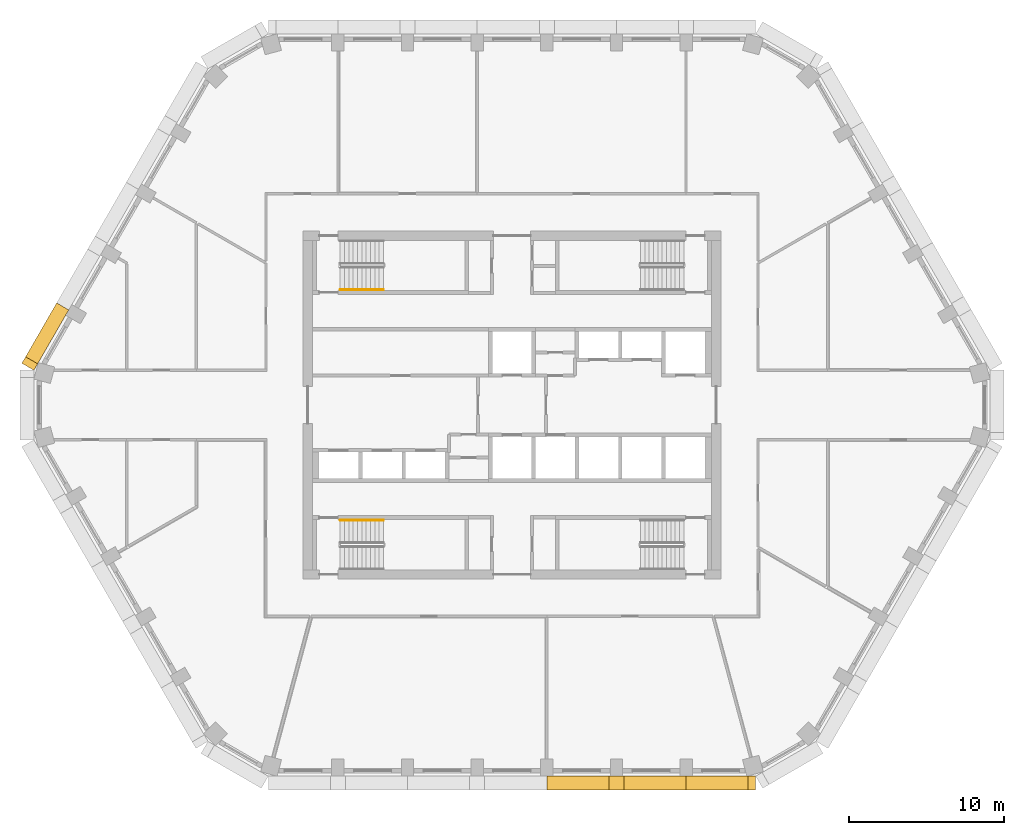
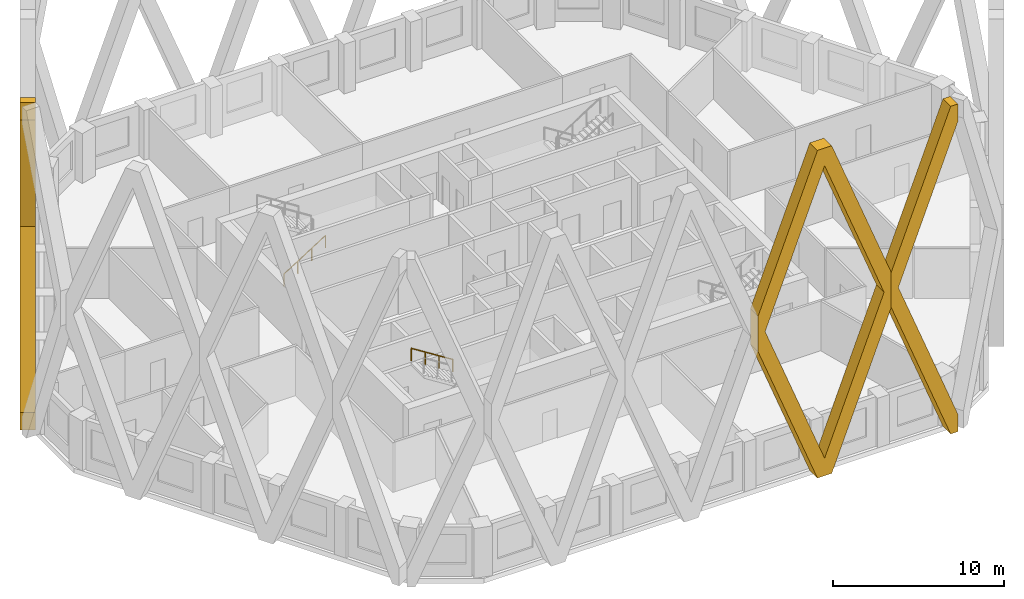
# One storey, part 10 of 15: 3 coverings, 2 railings.
"""IFC4 building model written with IfcOpenShell, lengths in metres."""

from ifc_helpers import new_model, si_unit, direction, frame, origin, origin_2d, place, context, subcontext, project, spatial, polyline, circle, outline, extrude, material, type_object, element, save


model = new_model("IFC4")

# Units and contexts
model_context = context("Model", 3, precision=1e-05, world=origin(), true_north=direction((0.0, 1.0)))
body_context = subcontext(model_context, "Body", "Model", "MODEL_VIEW")
ifc_project = project(units=[si_unit("LENGTHUNIT", "METRE"), si_unit("AREAUNIT", "SQUARE_METRE"), si_unit("VOLUMEUNIT", "CUBIC_METRE"), si_unit("PLANEANGLEUNIT", "RADIAN"), si_unit("MASSUNIT", "GRAM", prefix="KILO")], contexts=[model_context])

# Site, building, storey
site_placement = place(None, origin())
site = spatial("IfcSite", under=ifc_project, at=site_placement, CompositionType="ELEMENT")
building_placement = place(site_placement, origin())
building = spatial("IfcBuilding", under=site, at=building_placement, Name="Dhurran Vertical Campus", CompositionType="ELEMENT")
storey_placement = place(building_placement, frame((0.0, 0.0, 207.300048828125)))
storey = spatial("IfcBuildingStorey", under=building, at=storey_placement, Name="L51", CompositionType="ELEMENT", Elevation=207.300048828125)

# Coverings
ifc_material_1 = material(Name="Precast concrete C50/60", Category="concrete")
covering_type = type_object("IfcCoveringType", Name="Folded precast fin lattice diamond", PredefinedType="USERDEFINED", material=ifc_material_1)
covering_placement = place(storey_placement, frame((2.25, -23.985595703125, 0.0), z_axis=(0.0, -1.0, 0.0), x_axis=(1.0, 0.0, 0.0)))
element("IfcCovering", 1, at=covering_placement, inside=storey, type_object=covering_type, Name="FN1 L51.003", ObjectType="FIN", PredefinedType="USERDEFINED", context=body_context, shape_type="SweptSolid", body=[
    extrude(outline(polyline([(9.0, 12.95361328125), (9.0, 10.4462890625), (4.982177734375, 0.0), (4.017822265625, 0.0), (0.0, 10.4462890625), (0.0, 12.95361328125), (4.017822265625, 23.39990234375), (4.982177734375, 23.39990234375), (9.0, 12.95361328125)]), holes=[polyline([(8.517822265625, 11.699951171875), (4.5, 22.146484375), (0.482177734375, 11.699951171875), (4.5, 1.253662109375), (8.517822265625, 11.699951171875)])]), origin(), (0.0, 0.0, 1.0), 0.89990234375),
])
for number, where, z_axis, x_axis, name in (
    (2, (11.25, -23.985595703125, 0.0), (0.0, -1.0, 0.0), (1.0, 0.0, 0.0), "FN1 L51.004"),
    (3, (-28.647216796875, 6.147216796875, 0.0), (-0.866013897511, 0.50001992892, 0.0), (-0.50001992892, -0.866013897511, 0.0), "FN1 L51.021"),
):
    element("IfcCovering", number, at=place(storey_placement, frame(where, z_axis=z_axis, x_axis=x_axis)), inside=storey, type_object=covering_type, Name=name, ObjectType="FIN", PredefinedType="USERDEFINED", context=body_context, shape_type="SweptSolid", body=[
        extrude(outline(polyline([(4.017822265625, 0.0), (0.0, 10.4462890625), (0.0, 12.95361328125), (4.017822265625, 23.39990234375), (4.5, 23.39990234375), (4.5, 22.146484375), (0.482177734375, 11.699951171875), (4.5, 1.253662109375), (4.5, 0.0), (4.017822265625, 0.0)])), origin(), (0.0, 0.0, 1.0), 0.89990234375),
    ])

# Railings
ifc_material_2 = material(Name="Stainless steel handrail", Category="steel")
railing_type = type_object("IfcRailingType", Name="co-RL-HANDRAIL-900", PredefinedType="HANDRAIL", material=ifc_material_2)
railing_1_placement = place(storey_placement, frame((-11.10009765625, 7.449951171875, 0.17724609375)))
element("IfcRailing", 4, at=railing_1_placement, inside=storey, type_object=railing_type, Name="L51 ST1 stair handrail 1", PredefinedType="HANDRAIL", context=body_context, shape_type="SweptSolid", body=[
    extrude(circle(Radius=0.02392578125, at=origin_2d()), frame((0.0, 0.0, 0.8759765625), z_axis=(0.844908973607, 0.0, 0.534910110503), x_axis=(0.0, 1.0, 0.0)), (0.0, 0.0, 1.0), 3.31396484375),
    extrude(circle(Radius=0.02099609375, at=origin_2d()), origin(), (0.0, 0.0, 1.0), 0.851806640625),
    extrude(circle(Radius=0.02099609375, at=origin_2d()), frame((0.933349609375, 0.0, 0.5908203125)), (0.0, 0.0, 1.0), 0.851806640625),
    extrude(circle(Radius=0.02099609375, at=origin_2d()), frame((1.86669921875, 0.0, 1.181884765625)), (0.0, 0.0, 1.0), 0.851806640625),
    extrude(circle(Radius=0.02099609375, at=origin_2d()), frame((2.800048828125, 0.0, 1.772705078125)), (0.0, 0.0, 1.0), 0.851806640625),
])
railing_2_placement = place(storey_placement, frame((-8.300048828125, -7.449951171875, 2.127197265625)))
element("IfcRailing", 5, at=railing_2_placement, inside=storey, type_object=railing_type, Name="L51 ST3 stair handrail 2", PredefinedType="HANDRAIL", context=body_context, shape_type="SweptSolid", body=[
    extrude(circle(Radius=0.02392578125, at=origin_2d()), frame((0.0, 0.0, 0.8759765625), z_axis=(-0.844908973607, 0.0, 0.534910110503), x_axis=(0.0, -1.0, 0.0)), (0.0, 0.0, 1.0), 3.31396484375),
    extrude(circle(Radius=0.02099609375, at=origin_2d()), origin(), (0.0, 0.0, 1.0), 0.851806640625),
    extrude(circle(Radius=0.02099609375, at=origin_2d()), frame((-0.933349609375, 0.0, 0.5908203125)), (0.0, 0.0, 1.0), 0.851806640625),
    extrude(circle(Radius=0.02099609375, at=origin_2d()), frame((-1.86669921875, 0.0, 1.181884765625)), (0.0, 0.0, 1.0), 0.851806640625),
    extrude(circle(Radius=0.02099609375, at=origin_2d()), frame((-2.800048828125, 0.0, 1.772705078125)), (0.0, 0.0, 1.0), 0.851806640625),
])

save(model, "model.ifc")
